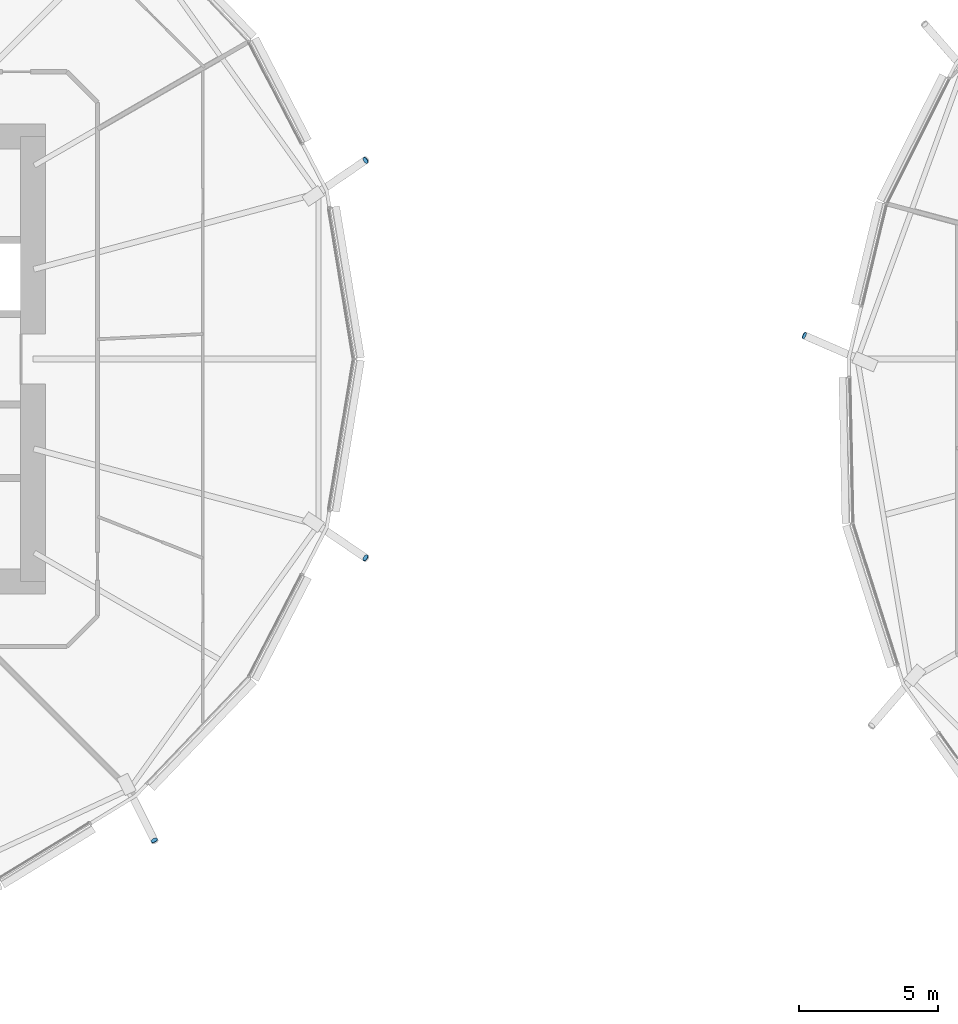
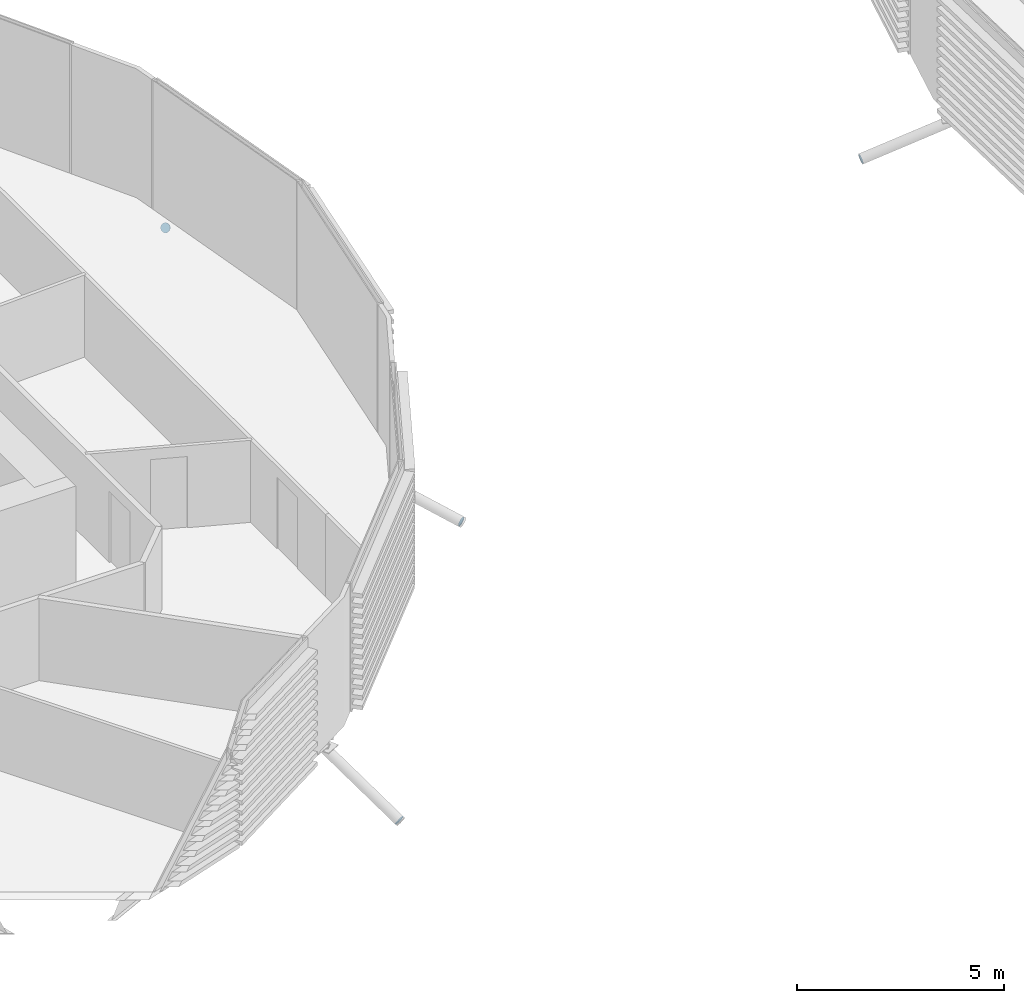
# One storey, part 28 of 38: 4 discrete accessories.
"""IFC4 building model written with IfcOpenShell, lengths in metres."""

import ifcopenshell
import ifcopenshell.guid

model = None  # the IFC model being written
_history = None  # IfcOwnerHistory: only IFC2X3 demands one
_inside = {}  # id of a spatial element -> (the spatial element, [elements in it])
_under = {}  # id of a project, library or spatial element -> (it, [spatial elements below it])
_declared = {}  # id of a project -> (the project, [libraries it declares])
_typed = {}  # id of a type object -> (the type object, [elements of that type])
_made_of = {}  # id of a material, layer set ... -> (it, [elements and type objects made of it])


def new_model(schema):
    """Start an empty IFC model of exactly this schema.

    Asked for "IFC4X3", IfcOpenShell would pick the latest addendum, in which some entities
    have other attributes; the version numbers below select the first issue.
    IFC2X3 requires an IfcOwnerHistory on every rooted entity: one is made here for all.
    """
    global model, _history
    if schema == "IFC4X3":
        model = ifcopenshell.file(schema_version=(4, 3, 0, 0))
    else:
        model = ifcopenshell.file(schema=schema)
    _inside.clear()
    _under.clear()
    _declared.clear()
    _typed.clear()
    _made_of.clear()
    _history = None
    if model.schema == "IFC2X3":
        org = make("IfcOrganization", Name="unknown")
        user = make(
            "IfcPersonAndOrganization",
            ThePerson=make("IfcPerson", FamilyName="unknown"),
            TheOrganization=org,
        )
        app = make(
            "IfcApplication",
            ApplicationDeveloper=org,
            Version="unknown",
            ApplicationFullName="unknown",
            ApplicationIdentifier="unknown",
        )
        _history = make(
            "IfcOwnerHistory",
            OwningUser=user,
            OwningApplication=app,
            ChangeAction="ADDED",
            CreationDate=0,
        )
    return model


def make(cls, **values):
    """One entity of the class cls with the attributes given. An attribute that is None is left unset."""
    return model.create_entity(
        cls, **{name: value for name, value in values.items() if value is not None}
    )


def rooted(cls, **values):
    """An entity with a GlobalId (a new one), such as an element, a storey or a relation."""
    return make(cls, GlobalId=ifcopenshell.guid.new(), OwnerHistory=_history, **values)


def si_unit(unit_type, name, prefix=None):
    """IfcSIUnit, for example si_unit("LENGTHUNIT", "METRE", prefix="MILLI")."""
    return make("IfcSIUnit", UnitType=unit_type, Prefix=prefix, Name=name)


def assignment(units):
    """IfcUnitAssignment: the units of a project."""
    return None if units is None else make("IfcUnitAssignment", Units=units)


def point(xyz):
    """IfcCartesianPoint."""
    return None if xyz is None else make("IfcCartesianPoint", Coordinates=xyz)


def direction(xyz):
    """IfcDirection."""
    return None if xyz is None else make("IfcDirection", DirectionRatios=xyz)


def frame(location, z_axis=None, x_axis=None):
    """IfcAxis2Placement3D, a coordinate frame: its origin and axes. An axis left out is left unset."""
    return make(
        "IfcAxis2Placement3D",
        Location=point(location),
        Axis=direction(z_axis),
        RefDirection=direction(x_axis),
    )


def frame_2d(location, x_axis=None):
    """IfcAxis2Placement2D, a coordinate frame in the plane: its origin and x axis."""
    return make(
        "IfcAxis2Placement2D", Location=point(location), RefDirection=direction(x_axis)
    )


def origin():
    """The frame at (0, 0, 0) with its axes left unset."""
    return frame((0.0, 0.0, 0.0))


def origin_2d():
    """The frame at (0, 0) in the plane with its x axis left unset."""
    return frame_2d((0.0, 0.0))


def place(relative_to, where):
    """IfcLocalPlacement: puts the frame where relative to a parent placement (None: the world)."""
    return make(
        "IfcLocalPlacement", PlacementRelTo=relative_to, RelativePlacement=where
    )


def context(
    kind, dimensions, precision=None, world=None, true_north=None, identifier=None
):
    """IfcGeometricRepresentationContext, for example the 3D "Model" context."""
    return make(
        "IfcGeometricRepresentationContext",
        ContextIdentifier=identifier,
        ContextType=kind,
        CoordinateSpaceDimension=dimensions,
        Precision=precision,
        WorldCoordinateSystem=world,
        TrueNorth=true_north,
    )


def subcontext(parent, identifier, kind, view, scale=None):
    """IfcGeometricRepresentationSubContext, for example "Body" below "Model"."""
    return make(
        "IfcGeometricRepresentationSubContext",
        ContextIdentifier=identifier,
        ContextType=kind,
        ParentContext=parent,
        TargetScale=scale,
        TargetView=view,
    )


def project(units=None, contexts=None):
    """IfcProject with its units and contexts."""
    return rooted(
        "IfcProject",
        Name="project",
        RepresentationContexts=contexts,
        UnitsInContext=assignment(units),
    )


def spatial(cls, under=None, at=None, **own):
    """A site, building, storey or space (cls), placed at a placement, below another one or the project."""
    s = rooted(cls, ObjectPlacement=at, **own)
    if under is not None:
        _under.setdefault(under.id(), (under, []))[1].append(s)
    return s


def profile(cls, at=None, kind="AREA", **sizes):
    """A parametric profile (cls). Its sizes go by their IFC names, for example OverallWidth=200.0."""
    return make(cls, ProfileType=kind, Position=at, **sizes)


def circle(**sizes):
    """IfcCircleProfileDef."""
    return profile("IfcCircleProfileDef", **sizes)


def extrude(swept, where, along, depth):
    """IfcExtrudedAreaSolid: the profile swept, set in the frame where, extruded along a direction by depth."""
    return make(
        "IfcExtrudedAreaSolid",
        SweptArea=swept,
        Position=where,
        ExtrudedDirection=direction(along),
        Depth=depth,
    )


def shape(context_of_items, identifier, shape_type, items):
    """IfcShapeRepresentation: the items that make up one representation, for example the "Body"."""
    return make(
        "IfcShapeRepresentation",
        ContextOfItems=context_of_items,
        RepresentationIdentifier=identifier,
        RepresentationType=shape_type,
        Items=items,
    )


def material(Name=None, Category=None):
    """IfcMaterial."""
    return make("IfcMaterial", Name=Name, Category=Category)


def material_profile(
    of_material, cross_section, Name=None, Category=None, Priority=None
):
    """IfcMaterialProfile: a cross section and its material."""
    return make(
        "IfcMaterialProfile",
        Name=Name,
        Material=of_material,
        Profile=cross_section,
        Priority=Priority,
        Category=Category,
    )


def profile_set(profiles, Name=None, composite=None):
    """IfcMaterialProfileSet."""
    return make(
        "IfcMaterialProfileSet",
        Name=Name,
        MaterialProfiles=profiles,
        CompositeProfile=composite,
    )


def made_of(thing, what):
    """Note that an element or type object is made of a material, layer set ...; save() writes the relation."""
    if what is not None:
        _made_of.setdefault(what.id(), (what, []))[1].append(thing)
    return thing


def type_object(cls, material=None, **own):
    """A type object (cls), such as IfcWallType, which elements share."""
    return made_of(rooted(cls, **own), material)


def element(
    cls,
    number,
    at=None,
    inside=None,
    cuts=None,
    type_object=None,
    material=None,
    context=None,
    identifier="Body",
    shape_type=None,
    held_by="IfcProductDefinitionShape",
    body=None,
    shapes=None,
    **own,
):
    """One element of the class cls, such as IfcWall. Its Tag is "e" and its number.

    at: its placement. inside: the storey or other place that contains it. cuts: it is an
    opening in that element (IfcRelVoidsElement). A single representation is given by context,
    identifier, shape_type and body (its items); several are given by shapes. held_by: the class
    of the entity that holds the representations. save() writes the other relations.
    """
    e = rooted(cls, Tag="e%d" % number, ObjectPlacement=at, **own)
    if body is not None:
        shapes = [shape(context, identifier, shape_type, body)]
    if shapes is not None:
        e.Representation = make(held_by, Representations=shapes)
    if inside is not None:
        _inside.setdefault(inside.id(), (inside, []))[1].append(e)
    if cuts is not None:
        rooted(
            "IfcRelVoidsElement", RelatingBuildingElement=cuts, RelatedOpeningElement=e
        )
    if type_object is not None:
        _typed.setdefault(type_object.id(), (type_object, []))[1].append(e)
    return made_of(e, material)


def aggregate(whole, parts):
    """IfcRelAggregates: a whole, such as a stair, and the parts it consists of."""
    return rooted("IfcRelAggregates", RelatingObject=whole, RelatedObjects=parts)


def save(model, path):
    """Write the relations noted so far, then the file.

    IfcRelAggregates (storeys below a building ...), IfcRelContainedInSpatialStructure (elements
    in a storey), IfcRelDefinesByType, IfcRelAssociatesMaterial and IfcRelDeclares: one each for
    every whole, place, type object, material and project.
    """
    for whole, parts in _under.values():
        aggregate(whole, parts)
    for where, things in _inside.values():
        rooted(
            "IfcRelContainedInSpatialStructure",
            RelatedElements=things,
            RelatingStructure=where,
        )
    for kind, things in _typed.values():
        rooted("IfcRelDefinesByType", RelatedObjects=things, RelatingType=kind)
    for what, things in _made_of.values():
        rooted("IfcRelAssociatesMaterial", RelatedObjects=things, RelatingMaterial=what)
    for by, libraries in _declared.values():
        rooted("IfcRelDeclares", RelatingContext=by, RelatedDefinitions=libraries)
    model.write(path)


model = new_model("IFC4")

# Units and contexts
model_context = context("Model", 3, precision=1e-05, world=origin(), true_north=direction((0.0, 1.0)))
body_context = subcontext(model_context, "Body", "Model", "MODEL_VIEW")
ifc_project = project(units=[si_unit("LENGTHUNIT", "METRE"), si_unit("AREAUNIT", "SQUARE_METRE"), si_unit("VOLUMEUNIT", "CUBIC_METRE"), si_unit("PLANEANGLEUNIT", "RADIAN"), si_unit("MASSUNIT", "GRAM", prefix="KILO")], contexts=[model_context])

# Site, building, storey
site_placement = place(None, origin())
site = spatial("IfcSite", under=ifc_project, at=site_placement, CompositionType="ELEMENT")
building_placement = place(site_placement, origin())
building = spatial("IfcBuilding", under=site, at=building_placement, Name="Rimbun Link Towers", CompositionType="ELEMENT")
storey_placement = place(building_placement, frame((0.0, 0.0, 68.0)))
storey = spatial("IfcBuildingStorey", under=building, at=storey_placement, Name="L16", CompositionType="ELEMENT", Elevation=68.0)

# Discrete accessories
ifc_material = material(Name="Steel S355J2H", Category="steel")
ifc_material_profile = material_profile(ifc_material, circle(Radius=0.1240234375, at=origin_2d()), Name="PL D248")
ifc_profile_set = profile_set([ifc_material_profile], Name="Steel S355J2H")
discrete_accessory_type = type_object("IfcDiscreteAccessoryType", Name="Link foot sealing plate D248X20", PredefinedType="BRACKET", material=ifc_profile_set)
for number, where, z_axis, x_axis, name in (
    (1, (-7.803955078125, 7.138427734375, -2.063232421875), (0.707106781187, 0.487659849094, -0.512042841549), (-0.567732955804, 0.823212785915, 0.0), "Link foot sealing plate T1 L16 01"),
    (2, (-15.391357421875, -17.291015625, -2.056640625), (0.389289794786, -0.766414283485, -0.510942855656), (0.891578868093, 0.452865456809, 0.0), "Link foot sealing plate T1 L16 21"),
    (3, (-7.803955078125, -7.138427734375, -2.063232421875), (0.707106781187, -0.487659849094, -0.512042841549), (0.567732955804, 0.823212785915, 0.0), "Link foot sealing plate T1 L16 23"),
    (4, (7.976318359375, 0.8447265625, -1.736328125), (-0.843914375661, 0.366919293766, -0.391380580017), (-0.398726111414, -0.917070056253, 0.0), "Link foot sealing plate T2 L16 09"),
):
    element("IfcDiscreteAccessory", number, at=place(storey_placement, frame(where, z_axis=z_axis, x_axis=x_axis)), inside=storey, type_object=discrete_accessory_type, Name=name, PredefinedType="BRACKET", context=body_context, shape_type="SweptSolid", body=[
        extrude(circle(Radius=0.1240234375, at=origin_2d()), origin(), (0.0, 0.0, 1.0), 0.02001953125),
    ])

save(model, "model.ifc")
